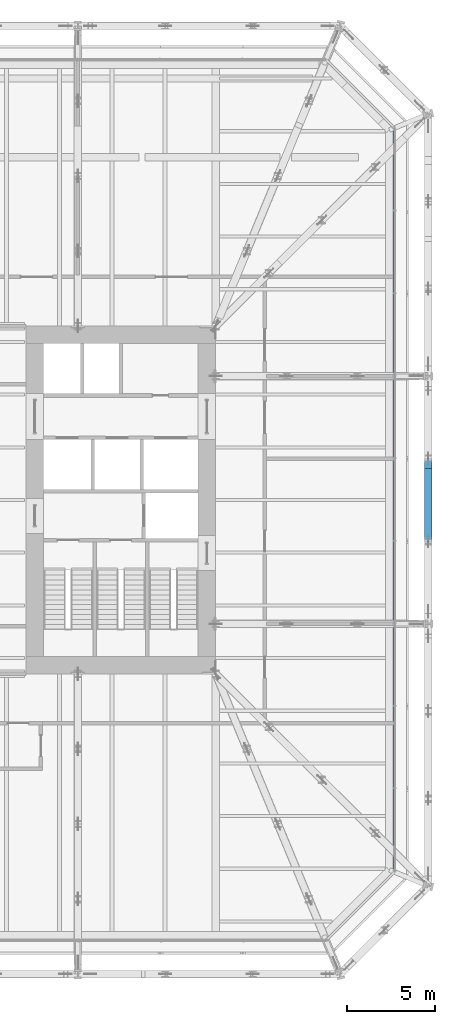
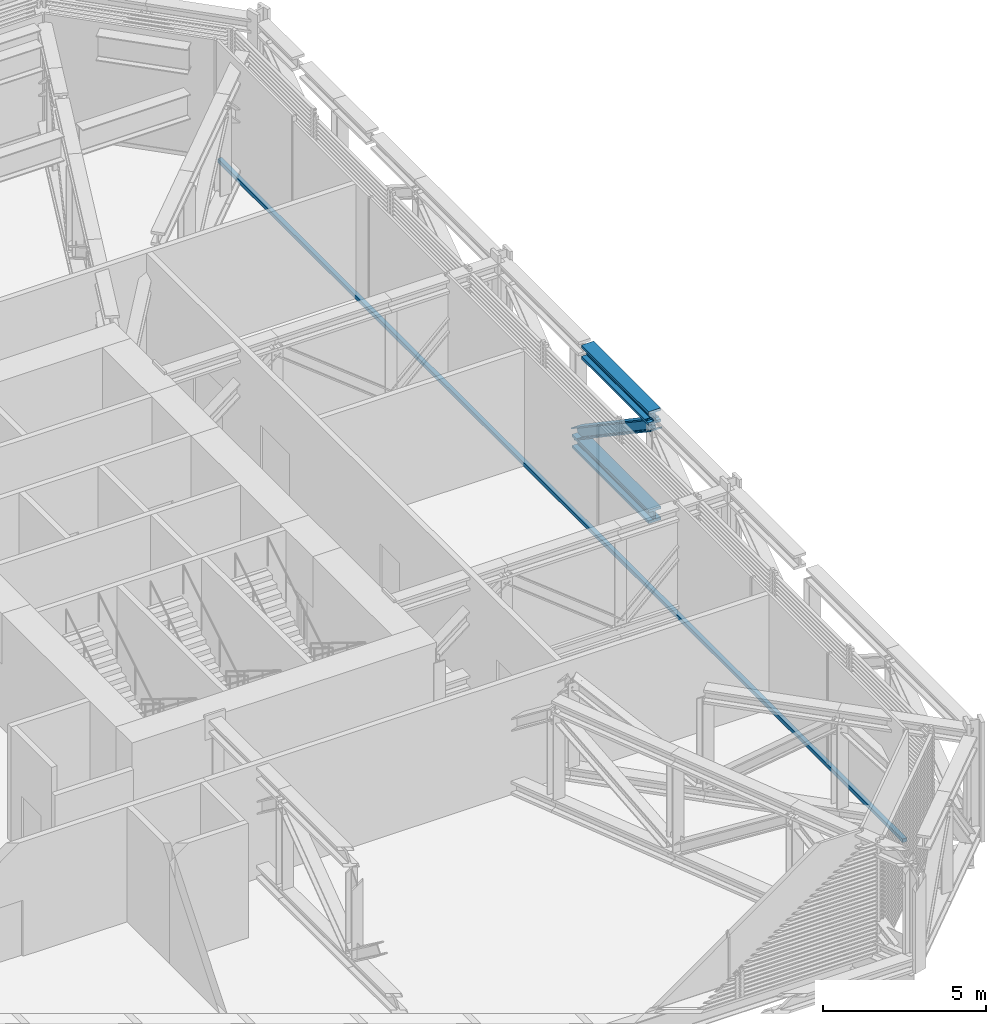
# One storey, part 12 of 33: 2 beams, 2 members, 1 element without a shape of its own.
"""IFC4 building model written with IfcOpenShell, lengths in metres."""

from ifc_helpers import new_model, si_unit, direction, frame, origin, origin_2d, place, context, subcontext, project, spatial, rectangle, i_section, extrude, material, layer, layer_set, material_profile, profile_set, type_object, element, aggregate, save


model = new_model("IFC4")

# Units and contexts
model_context = context("Model", 3, precision=1e-05, world=origin(), true_north=direction((0.0, 1.0)))
body_context = subcontext(model_context, "Body", "Model", "MODEL_VIEW")
ifc_project = project(units=[si_unit("LENGTHUNIT", "METRE"), si_unit("AREAUNIT", "SQUARE_METRE"), si_unit("VOLUMEUNIT", "CUBIC_METRE"), si_unit("PLANEANGLEUNIT", "RADIAN"), si_unit("MASSUNIT", "GRAM", prefix="KILO")], contexts=[model_context])

# Site, building, storey
site_placement = place(None, origin())
site = spatial("IfcSite", under=ifc_project, at=site_placement, CompositionType="ELEMENT")
building_placement = place(site_placement, origin())
building = spatial("IfcBuilding", under=site, at=building_placement, Name="Millrace Tower", CompositionType="ELEMENT")
storey_placement = place(building_placement, frame((0.0, 0.0, 64.10009765625)))
storey = spatial("IfcBuildingStorey", under=building, at=storey_placement, Name="L14", CompositionType="ELEMENT", Elevation=64.10009765625)

# Beams
ifc_material_1 = material(Name="Steel ASTM A992 Grade 50", Category="steel")
ifc_material_profile_1 = material_profile(ifc_material_1, i_section(OverallWidth=0.436767578125, OverallDepth=0.51318359375, WebThickness=0.060546875, FlangeThickness=0.096923828125, FilletRadius=0.01513671875, at=origin_2d()))
ifc_profile_set_1 = profile_set([ifc_material_profile_1], Name="Steel ASTM A992 Grade 50")
beam_type = type_object("IfcBeamType", Name="Belt truss chord W14x550", PredefinedType="BEAM", material=ifc_profile_set_1)
beam_1_placement = place(storey_placement, frame((27.0, -2.35009765625, 0.25634765625), z_axis=(0.0, 1.0, 0.0), x_axis=(-1.0, 0.0, 0.0)))
element("IfcBeam", 1, at=beam_1_placement, inside=storey, type_object=beam_type, Name="BLT-L14-R07-B02", PredefinedType="BEAM", context=body_context, shape_type="SweptSolid", body=[
    extrude(i_section(OverallWidth=0.436767578125, OverallDepth=0.51318359375, WebThickness=0.060546875, FlangeThickness=0.096923828125, FilletRadius=0.01513671875, at=origin_2d()), origin(), (0.0, 0.0, 1.0), 4.7001953125),
])
beam_2_placement = place(storey_placement, frame((27.0, -2.35009765625, 3.943359375), z_axis=(0.0, 1.0, 0.0), x_axis=(-1.0, 0.0, 0.0)))
element("IfcBeam", 2, at=beam_2_placement, inside=storey, type_object=beam_type, Name="BLT-L14-R07-T02", PredefinedType="BEAM", context=body_context, shape_type="SweptSolid", body=[
    extrude(i_section(OverallWidth=0.436767578125, OverallDepth=0.51318359375, WebThickness=0.060546875, FlangeThickness=0.096923828125, FilletRadius=0.01513671875, at=origin_2d()), origin(), (0.0, 0.0, 1.0), 4.13232421875),
])

# Member
ifc_material_2 = material(Name="Steel ASTM A992 Grade 50", Category="steel")
ifc_material_profile_2 = material_profile(ifc_material_2, i_section(OverallWidth=0.40380859375, OverallDepth=0.406494140625, WebThickness=0.027099609375, FlangeThickness=0.043701171875, FilletRadius=0.01513671875, at=origin_2d()))
ifc_profile_set_2 = profile_set([ifc_material_profile_2], Name="Steel ASTM A992 Grade 50")
member_type_1 = type_object("IfcMemberType", Name="Belt truss diagonal W14x233", PredefinedType="BRACE", material=ifc_profile_set_2)
member_1_placement = place(storey_placement, frame((27.0, 2.35009765625, 0.512939453125), z_axis=(0.0, -0.82875084798, 0.559617755233), x_axis=(1.0, 0.0, 0.0)))
element("IfcMember", 3, at=member_1_placement, inside=storey, type_object=member_type_1, Name="BLT-L14-R07-D02", PredefinedType="BRACE", context=body_context, shape_type="SweptSolid", body=[
    extrude(i_section(OverallWidth=0.40380859375, OverallDepth=0.406494140625, WebThickness=0.027099609375, FlangeThickness=0.043701171875, FilletRadius=0.01513671875, at=origin_2d()), origin(), (0.0, 0.0, 1.0), 5.67138671875),
])

# Curtain wall, member
ifc_material_3 = material(Name="Aluminium and glass", Category="aluminium")
ifc_layer = layer(ifc_material_3, 0.14990234375)
ifc_layer_set = layer_set([ifc_layer], Name="Aluminium and glass")
curtain_wall_type = type_object("IfcCurtainWallType", Name="CW-5 truss and plant storey louvred infill", PredefinedType="NOTDEFINED", material=ifc_layer_set)
curtain_wall_placement = place(storey_placement, origin())
curtain_wall = element("IfcCurtainWall", 4, at=curtain_wall_placement, inside=storey, type_object=curtain_wall_type, Name="Curtain wall A-F04 L14", PredefinedType="NOTDEFINED")
ifc_material_4 = material(Name="Aluminium", Category="aluminium")
ifc_material_profile_3 = material_profile(ifc_material_4, rectangle(XDim=0.14990234375, YDim=0.139892578125, at=origin_2d()))
ifc_profile_set_3 = profile_set([ifc_material_profile_3], Name="Aluminium")
member_type_2 = type_object("IfcMemberType", Name="CW-5 truss and plant storey louvred infill transom", PredefinedType="USERDEFINED", material=ifc_profile_set_3)
member_2_placement = place(storey_placement, frame((25.074951171875, -21.050048828125, 0.06982421875), z_axis=(0.0, 1.0, 0.0), x_axis=(-1.0, 0.0, 0.0)))
member_2 = element("IfcMember", 5, at=member_2_placement, type_object=member_type_2, Name="CW5 transom A-F04.1", ObjectType="TRANSOM", PredefinedType="USERDEFINED", context=body_context, shape_type="SweptSolid", body=[
    extrude(rectangle(XDim=0.14990234375, YDim=0.139892578125, at=origin_2d()), origin(), (0.0, 0.0, 1.0), 42.10009765625),
])
aggregate(curtain_wall, [member_2])

save(model, "model.ifc")
